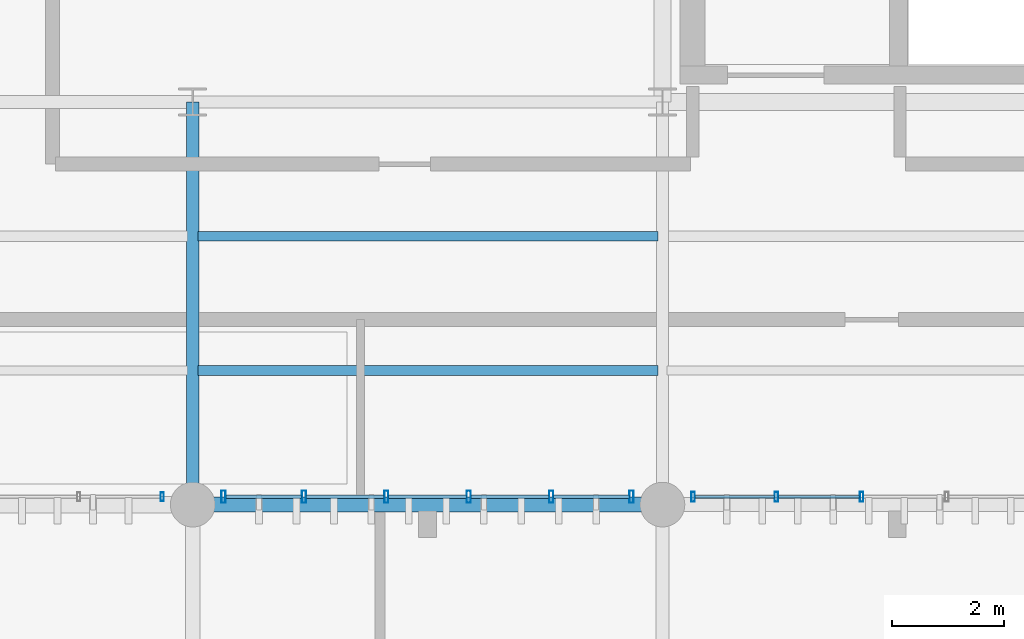
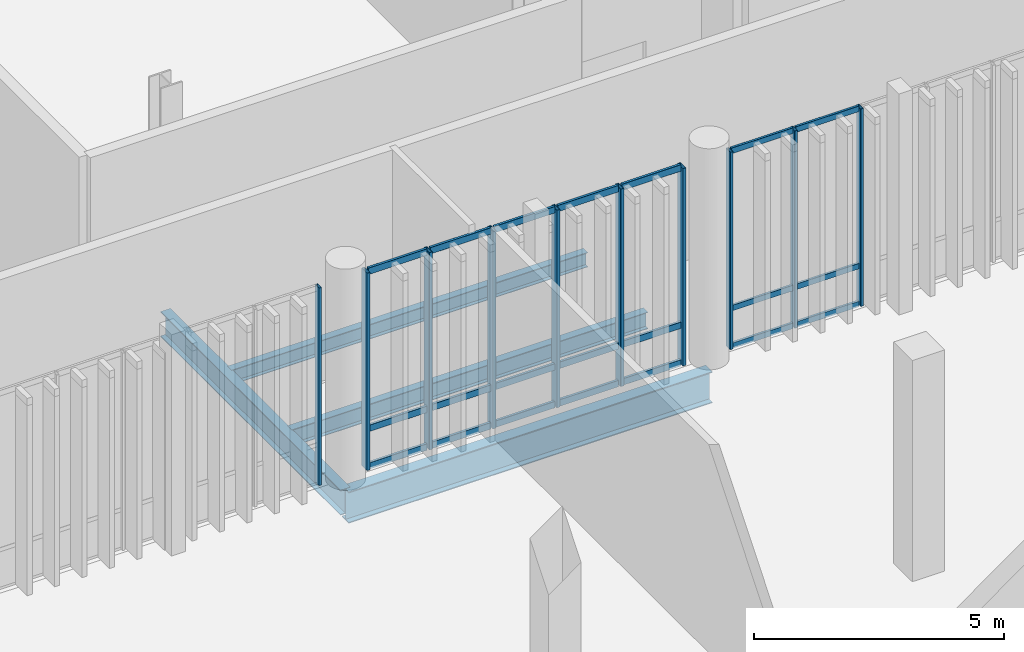
# One storey, part 44 of 112: 31 members, 4 beams, 3 elements without a shape of their own.
"""IFC4 building model written with IfcOpenShell, lengths in metres."""

from ifc_helpers import new_model, si_unit, direction, frame, origin_with_axes, origin_2d_with_axis, place, context, subcontext, project, spatial, hollow_rectangle, i_section, extrude, material, material_profile, profile_set, type_object, element, aggregate, save


model = new_model("IFC4")

# Units and contexts
model_context = context("Model", 3, precision=1e-05, world=origin_with_axes(), true_north=direction((0.0, 1.0)))
body_context = subcontext(model_context, "Body", "Model", "MODEL_VIEW")
ifc_project = project(units=[si_unit("LENGTHUNIT", "METRE"), si_unit("AREAUNIT", "SQUARE_METRE"), si_unit("VOLUMEUNIT", "CUBIC_METRE"), si_unit("PLANEANGLEUNIT", "RADIAN"), si_unit("MASSUNIT", "GRAM", prefix="KILO"), si_unit("THERMODYNAMICTEMPERATUREUNIT", "KELVIN")], contexts=[model_context])

# Site, building, storey
site_placement = place(None, origin_with_axes())
site = spatial("IfcSite", under=ifc_project, at=site_placement, CompositionType="ELEMENT")
building_placement = place(site_placement, origin_with_axes())
building = spatial("IfcBuilding", under=site, at=building_placement, Name="Montbau Bow Law Courts", CompositionType="ELEMENT")
storey_placement = place(building_placement, origin_with_axes())
storey = spatial("IfcBuildingStorey", under=building, at=storey_placement, Name="L00", CompositionType="ELEMENT", Elevation=0.0)

# Beams
ifc_material_1 = material(Name="Steel CSA G40.21 Grade 350W (350 MPa)", Category="steel")
ifc_material_profile_1 = material_profile(ifc_material_1, i_section(OverallWidth=0.267, OverallDepth=0.766, WebThickness=0.0149, FlangeThickness=0.0236, at=origin_2d_with_axis()), Name="W760X185", Category="Main", Priority=0)
ifc_profile_set_1 = profile_set([ifc_material_profile_1], Name="Steel CSA G40.21 Grade 350W (350 MPa)")
beam_type_1 = type_object("IfcBeamType", Name="B-FLR-03", PredefinedType="BEAM", material=ifc_profile_set_1)
beam_1_placement = place(None, frame((72.0, 39.0, -0.623), z_axis=(1.0, 0.0, 0.0), x_axis=(0.0, 1.0, 0.0)))
element("IfcBeam", 1, at=beam_1_placement, inside=storey, type_object=beam_type_1, Name="BM-L00-S0191:bm2_0194", PredefinedType="BEAM", context=body_context, shape_type="SweptSolid", body=[
    extrude(i_section(OverallWidth=0.267, OverallDepth=0.766, WebThickness=0.0149, FlangeThickness=0.0236, at=origin_2d_with_axis()), origin_with_axes(), (0.0, 0.0, 1.0), 8.4),
])
ifc_material_profile_2 = material_profile(ifc_material_1, i_section(OverallWidth=0.229, OverallDepth=0.612, WebThickness=0.0119, FlangeThickness=0.0196, at=origin_2d_with_axis()), Name="W610X125", Category="Main", Priority=0)
ifc_profile_set_2 = profile_set([ifc_material_profile_2], Name="Steel CSA G40.21 Grade 350W (350 MPa)")
beam_type_2 = type_object("IfcBeamType", Name="B-FLR-05", PredefinedType="BEAM", material=ifc_profile_set_2)
beam_2_placement = place(None, frame((72.0, 39.0, -0.546), z_axis=(0.0, 1.0, 0.0), x_axis=(-1.0, 0.0, 0.0)))
element("IfcBeam", 2, at=beam_2_placement, inside=storey, type_object=beam_type_2, Name="BM-L00-S0291:bm2_0294", PredefinedType="BEAM", context=body_context, shape_type="SweptSolid", body=[
    extrude(i_section(OverallWidth=0.229, OverallDepth=0.612, WebThickness=0.0119, FlangeThickness=0.0196, at=origin_2d_with_axis()), origin_with_axes(), (0.0, 0.0, 1.0), 7.2),
])
ifc_material_profile_3 = material_profile(ifc_material_1, i_section(OverallWidth=0.179, OverallDepth=0.41, WebThickness=0.0088, FlangeThickness=0.0144, at=origin_2d_with_axis()), Name="W410X67", Category="Main", Priority=0)
ifc_profile_set_3 = profile_set([ifc_material_profile_3], Name="Steel CSA G40.21 Grade 350W (350 MPa)")
beam_type_3 = type_object("IfcBeamType", Name="B-JST-02", PredefinedType="JOIST", material=ifc_profile_set_3)
beam_3_placement = place(None, frame((72.091, 41.4, -0.445), z_axis=(1.0, 0.0, 0.0), x_axis=(0.0, 1.0, 0.0)))
element("IfcBeam", 3, at=beam_3_placement, inside=storey, type_object=beam_type_3, Name="JST-L00-S0077:jst2_0077", PredefinedType="JOIST", context=body_context, shape_type="SweptSolid", body=[
    extrude(i_section(OverallWidth=0.179, OverallDepth=0.41, WebThickness=0.0088, FlangeThickness=0.0144, at=origin_2d_with_axis()), origin_with_axes(), (0.0, 0.0, 1.0), 8.228),
])
ifc_material_profile_4 = material_profile(ifc_material_1, i_section(OverallWidth=0.172, OverallDepth=0.358, WebThickness=0.0079, FlangeThickness=0.0131, at=origin_2d_with_axis()), Name="W360X57", Category="Main", Priority=0)
ifc_profile_set_4 = profile_set([ifc_material_profile_4], Name="Steel CSA G40.21 Grade 350W (350 MPa)")
beam_type_4 = type_object("IfcBeamType", Name="B-JST-03", PredefinedType="JOIST", material=ifc_profile_set_4)
beam_4_placement = place(None, frame((72.091, 43.8, -0.419), z_axis=(1.0, 0.0, 0.0), x_axis=(0.0, 1.0, 0.0)))
element("IfcBeam", 4, at=beam_4_placement, inside=storey, type_object=beam_type_4, Name="JST-L00-S0078:jst2_0078", PredefinedType="JOIST", context=body_context, shape_type="SweptSolid", body=[
    extrude(i_section(OverallWidth=0.172, OverallDepth=0.358, WebThickness=0.0079, FlangeThickness=0.0131, at=origin_2d_with_axis()), origin_with_axes(), (0.0, 0.0, 1.0), 8.228),
])

# Curtain wall, members
ifc_material_2 = material(Name="Thermally Broken Extruded Aluminium AA 6063-T6", Category="aluminium")
curtain_wall_type = type_object("IfcCurtainWallType", Name="CW-CRM-01", PredefinedType="NOTDEFINED", material=ifc_material_2)
curtain_wall_1_placement = place(None, frame((72.515, 39.14, 0.0), z_axis=(0.0, 0.0, 1.0), x_axis=(1.0, 0.0, 0.0)))
curtain_wall_1 = element("IfcCurtainWall", 5, at=curtain_wall_1_placement, inside=storey, type_object=curtain_wall_type, Name="CW-L00-126:cw_0126", PredefinedType="NOTDEFINED")
ifc_material_profile_5 = material_profile(ifc_material_2, hollow_rectangle(XDim=0.075, YDim=0.22, WallThickness=0.005, InnerFilletRadius=0.01, OuterFilletRadius=0.005, at=origin_2d_with_axis()), Name="CWM-220X75", Category="Main", Priority=0)
ifc_profile_set_5 = profile_set([ifc_material_profile_5], Name="Thermally Broken Extruded Aluminium AA 6063-T6")
member_type_1 = type_object("IfcMemberType", Name="M-MUL-01", PredefinedType="MULLION", material=ifc_profile_set_5)
member_1_placement = place(None, frame((72.552, 39.14, 0.0), z_axis=(0.0, 0.0, 1.0), x_axis=(1.0, 0.0, 0.0)))
member_1 = element("IfcMember", 6, at=member_1_placement, type_object=member_type_1, Name="CW-L00-126-M01:cw_0126_M01", PredefinedType="MULLION", context=body_context, shape_type="SweptSolid", body=[
    extrude(hollow_rectangle(XDim=0.075, YDim=0.22, WallThickness=0.005, InnerFilletRadius=0.01, OuterFilletRadius=0.005, at=origin_2d_with_axis()), origin_with_axes(), (0.0, 0.0, 1.0), 4.82),
])
member_2_placement = place(None, frame((73.989, 39.14, 0.0), z_axis=(0.0, 0.0, 1.0), x_axis=(1.0, 0.0, 0.0)))
member_2 = element("IfcMember", 7, at=member_2_placement, type_object=member_type_1, Name="CW-L00-126-M02:cw_0126_M02", PredefinedType="MULLION", context=body_context, shape_type="SweptSolid", body=[
    extrude(hollow_rectangle(XDim=0.075, YDim=0.22, WallThickness=0.005, InnerFilletRadius=0.01, OuterFilletRadius=0.005, at=origin_2d_with_axis()), origin_with_axes(), (0.0, 0.0, 1.0), 4.82),
])
member_3_placement = place(None, frame((75.463, 39.14, 0.0), z_axis=(0.0, 0.0, 1.0), x_axis=(1.0, 0.0, 0.0)))
member_3 = element("IfcMember", 8, at=member_3_placement, type_object=member_type_1, Name="CW-L00-126-M03:cw_0126_M03", PredefinedType="MULLION", context=body_context, shape_type="SweptSolid", body=[
    extrude(hollow_rectangle(XDim=0.075, YDim=0.22, WallThickness=0.005, InnerFilletRadius=0.01, OuterFilletRadius=0.005, at=origin_2d_with_axis()), origin_with_axes(), (0.0, 0.0, 1.0), 4.82),
])
member_4_placement = place(None, frame((76.937, 39.14, 0.0), z_axis=(0.0, 0.0, 1.0), x_axis=(1.0, 0.0, 0.0)))
member_4 = element("IfcMember", 9, at=member_4_placement, type_object=member_type_1, Name="CW-L00-126-M04:cw_0126_M04", PredefinedType="MULLION", context=body_context, shape_type="SweptSolid", body=[
    extrude(hollow_rectangle(XDim=0.075, YDim=0.22, WallThickness=0.005, InnerFilletRadius=0.01, OuterFilletRadius=0.005, at=origin_2d_with_axis()), origin_with_axes(), (0.0, 0.0, 1.0), 4.82),
])
member_5_placement = place(None, frame((78.411, 39.14, 0.0), z_axis=(0.0, 0.0, 1.0), x_axis=(1.0, 0.0, 0.0)))
member_5 = element("IfcMember", 10, at=member_5_placement, type_object=member_type_1, Name="CW-L00-126-M05:cw_0126_M05", PredefinedType="MULLION", context=body_context, shape_type="SweptSolid", body=[
    extrude(hollow_rectangle(XDim=0.075, YDim=0.22, WallThickness=0.005, InnerFilletRadius=0.01, OuterFilletRadius=0.005, at=origin_2d_with_axis()), origin_with_axes(), (0.0, 0.0, 1.0), 4.82),
])
member_6_placement = place(None, frame((79.848, 39.14, 0.0), z_axis=(0.0, 0.0, 1.0), x_axis=(1.0, 0.0, 0.0)))
member_6 = element("IfcMember", 11, at=member_6_placement, type_object=member_type_1, Name="CW-L00-126-M06:cw_0126_M06", PredefinedType="MULLION", context=body_context, shape_type="SweptSolid", body=[
    extrude(hollow_rectangle(XDim=0.075, YDim=0.22, WallThickness=0.005, InnerFilletRadius=0.01, OuterFilletRadius=0.005, at=origin_2d_with_axis()), origin_with_axes(), (0.0, 0.0, 1.0), 4.82),
])

curtain_wall_2_placement = place(None, frame((80.915, 39.14, 0.0), z_axis=(0.0, 0.0, 1.0), x_axis=(1.0, 0.0, 0.0)))
curtain_wall_2 = element("IfcCurtainWall", 12, at=curtain_wall_2_placement, inside=storey, type_object=curtain_wall_type, Name="CW-L00-127:cw_0127", PredefinedType="NOTDEFINED")
ifc_material_profile_6 = material_profile(ifc_material_2, hollow_rectangle(XDim=0.065, YDim=0.18, WallThickness=0.005, InnerFilletRadius=0.01, OuterFilletRadius=0.005, at=origin_2d_with_axis()), Name="CWM-180X65", Category="Main", Priority=0)
ifc_profile_set_6 = profile_set([ifc_material_profile_6], Name="Thermally Broken Extruded Aluminium AA 6063-T6")
member_type_2 = type_object("IfcMemberType", Name="M-MUL-02", PredefinedType="MULLION", material=ifc_profile_set_6)
member_7_placement = place(None, frame((80.948, 39.14, 0.0), z_axis=(0.0, 0.0, 1.0), x_axis=(1.0, 0.0, 0.0)))
member_7 = element("IfcMember", 13, at=member_7_placement, type_object=member_type_2, Name="CW-L00-127-M01:cw_0127_M01", PredefinedType="MULLION", context=body_context, shape_type="SweptSolid", body=[
    extrude(hollow_rectangle(XDim=0.065, YDim=0.18, WallThickness=0.005, InnerFilletRadius=0.01, OuterFilletRadius=0.005, at=origin_2d_with_axis()), origin_with_axes(), (0.0, 0.0, 1.0), 4.82),
])
member_8_placement = place(None, frame((82.438, 39.14, 0.0), z_axis=(0.0, 0.0, 1.0), x_axis=(1.0, 0.0, 0.0)))
member_8 = element("IfcMember", 14, at=member_8_placement, type_object=member_type_2, Name="CW-L00-127-M02:cw_0127_M02", PredefinedType="MULLION", context=body_context, shape_type="SweptSolid", body=[
    extrude(hollow_rectangle(XDim=0.065, YDim=0.18, WallThickness=0.005, InnerFilletRadius=0.01, OuterFilletRadius=0.005, at=origin_2d_with_axis()), origin_with_axes(), (0.0, 0.0, 1.0), 4.82),
])
member_9_placement = place(None, frame((83.962, 39.14, 0.0), z_axis=(0.0, 0.0, 1.0), x_axis=(1.0, 0.0, 0.0)))
member_9 = element("IfcMember", 15, at=member_9_placement, type_object=member_type_2, Name="CW-L00-127-M03:cw_0127_M03", PredefinedType="MULLION", context=body_context, shape_type="SweptSolid", body=[
    extrude(hollow_rectangle(XDim=0.065, YDim=0.18, WallThickness=0.005, InnerFilletRadius=0.01, OuterFilletRadius=0.005, at=origin_2d_with_axis()), origin_with_axes(), (0.0, 0.0, 1.0), 4.82),
])

# Curtain wall, member
curtain_wall_3_placement = place(None, frame((63.868, 39.14, 0.0), z_axis=(0.0, 0.0, 1.0), x_axis=(1.0, 0.0, 0.0)))
curtain_wall_3 = element("IfcCurtainWall", 16, at=curtain_wall_3_placement, inside=storey, type_object=curtain_wall_type, Name="CW-L00-125:cw_0125", PredefinedType="NOTDEFINED")
ifc_material_profile_7 = material_profile(ifc_material_2, hollow_rectangle(XDim=0.06, YDim=0.16, WallThickness=0.004, InnerFilletRadius=0.008, OuterFilletRadius=0.004, at=origin_2d_with_axis()), Name="CWM-160X60", Category="Main", Priority=0)
ifc_profile_set_7 = profile_set([ifc_material_profile_7], Name="Thermally Broken Extruded Aluminium AA 6063-T6")
member_type_3 = type_object("IfcMemberType", Name="M-MUL-03", PredefinedType="MULLION", material=ifc_profile_set_7)
member_10_placement = place(None, frame((71.455, 39.14, 0.0), z_axis=(0.0, 0.0, 1.0), x_axis=(1.0, 0.0, 0.0)))
member_10 = element("IfcMember", 17, at=member_10_placement, type_object=member_type_3, Name="CW-L00-125-M06:cw_0125_M06", PredefinedType="MULLION", context=body_context, shape_type="SweptSolid", body=[
    extrude(hollow_rectangle(XDim=0.06, YDim=0.16, WallThickness=0.004, InnerFilletRadius=0.008, OuterFilletRadius=0.004, at=origin_2d_with_axis()), origin_with_axes(), (0.0, 0.0, 1.0), 4.82),
])
aggregate(curtain_wall_3, [member_10])

# Member
ifc_material_profile_8 = material_profile(ifc_material_2, hollow_rectangle(XDim=0.06, YDim=0.16, WallThickness=0.004, InnerFilletRadius=0.008, OuterFilletRadius=0.004, at=origin_2d_with_axis()), Name="CWT-160X60", Category="Main", Priority=0)
ifc_profile_set_8 = profile_set([ifc_material_profile_8], Name="Thermally Broken Extruded Aluminium AA 6063-T6")
member_type_4 = type_object("IfcMemberType", Name="M-TRN-01", PredefinedType="USERDEFINED", material=ifc_profile_set_8)
member_11_placement = place(None, frame((72.591, 39.14, 0.03), z_axis=(1.0, 0.0, 0.0), x_axis=(0.0, 1.0, 0.0)))
member_11 = element("IfcMember", 18, at=member_11_placement, type_object=member_type_4, Name="CW-L00-126-T01-1:cw_0126_T01_1", ObjectType="TRANSOM", PredefinedType="USERDEFINED", context=body_context, shape_type="SweptSolid", body=[
    extrude(hollow_rectangle(XDim=0.06, YDim=0.16, WallThickness=0.004, InnerFilletRadius=0.008, OuterFilletRadius=0.004, at=origin_2d_with_axis()), origin_with_axes(), (0.0, 0.0, 1.0), 1.358),
])

member_12_placement = place(None, frame((72.591, 39.14, 0.95), z_axis=(1.0, 0.0, 0.0), x_axis=(0.0, 1.0, 0.0)))
member_12 = element("IfcMember", 19, at=member_12_placement, type_object=member_type_4, Name="CW-L00-126-T01-2:cw_0126_T01_2", ObjectType="TRANSOM", PredefinedType="USERDEFINED", context=body_context, shape_type="SweptSolid", body=[
    extrude(hollow_rectangle(XDim=0.06, YDim=0.16, WallThickness=0.004, InnerFilletRadius=0.008, OuterFilletRadius=0.004, at=origin_2d_with_axis()), origin_with_axes(), (0.0, 0.0, 1.0), 1.358),
])

member_13_placement = place(None, frame((72.591, 39.14, 4.79), z_axis=(1.0, 0.0, 0.0), x_axis=(0.0, 1.0, 0.0)))
member_13 = element("IfcMember", 20, at=member_13_placement, type_object=member_type_4, Name="CW-L00-126-T01-3:cw_0126_T01_3", ObjectType="TRANSOM", PredefinedType="USERDEFINED", context=body_context, shape_type="SweptSolid", body=[
    extrude(hollow_rectangle(XDim=0.06, YDim=0.16, WallThickness=0.004, InnerFilletRadius=0.008, OuterFilletRadius=0.004, at=origin_2d_with_axis()), origin_with_axes(), (0.0, 0.0, 1.0), 1.358),
])

member_14_placement = place(None, frame((74.029, 39.14, 0.03), z_axis=(1.0, 0.0, 0.0), x_axis=(0.0, 1.0, 0.0)))
member_14 = element("IfcMember", 21, at=member_14_placement, type_object=member_type_4, Name="CW-L00-126-T02-1:cw_0126_T02_1", ObjectType="TRANSOM", PredefinedType="USERDEFINED", context=body_context, shape_type="SweptSolid", body=[
    extrude(hollow_rectangle(XDim=0.06, YDim=0.16, WallThickness=0.004, InnerFilletRadius=0.008, OuterFilletRadius=0.004, at=origin_2d_with_axis()), origin_with_axes(), (0.0, 0.0, 1.0), 1.395),
])

member_15_placement = place(None, frame((74.029, 39.14, 0.95), z_axis=(1.0, 0.0, 0.0), x_axis=(0.0, 1.0, 0.0)))
member_15 = element("IfcMember", 22, at=member_15_placement, type_object=member_type_4, Name="CW-L00-126-T02-2:cw_0126_T02_2", ObjectType="TRANSOM", PredefinedType="USERDEFINED", context=body_context, shape_type="SweptSolid", body=[
    extrude(hollow_rectangle(XDim=0.06, YDim=0.16, WallThickness=0.004, InnerFilletRadius=0.008, OuterFilletRadius=0.004, at=origin_2d_with_axis()), origin_with_axes(), (0.0, 0.0, 1.0), 1.395),
])

member_16_placement = place(None, frame((74.029, 39.14, 4.79), z_axis=(1.0, 0.0, 0.0), x_axis=(0.0, 1.0, 0.0)))
member_16 = element("IfcMember", 23, at=member_16_placement, type_object=member_type_4, Name="CW-L00-126-T02-3:cw_0126_T02_3", ObjectType="TRANSOM", PredefinedType="USERDEFINED", context=body_context, shape_type="SweptSolid", body=[
    extrude(hollow_rectangle(XDim=0.06, YDim=0.16, WallThickness=0.004, InnerFilletRadius=0.008, OuterFilletRadius=0.004, at=origin_2d_with_axis()), origin_with_axes(), (0.0, 0.0, 1.0), 1.395),
])

member_17_placement = place(None, frame((75.502, 39.14, 0.03), z_axis=(1.0, 0.0, 0.0), x_axis=(0.0, 1.0, 0.0)))
member_17 = element("IfcMember", 24, at=member_17_placement, type_object=member_type_4, Name="CW-L00-126-T03-1:cw_0126_T03_1", ObjectType="TRANSOM", PredefinedType="USERDEFINED", context=body_context, shape_type="SweptSolid", body=[
    extrude(hollow_rectangle(XDim=0.06, YDim=0.16, WallThickness=0.004, InnerFilletRadius=0.008, OuterFilletRadius=0.004, at=origin_2d_with_axis()), origin_with_axes(), (0.0, 0.0, 1.0), 1.396),
])

member_18_placement = place(None, frame((75.502, 39.14, 0.95), z_axis=(1.0, 0.0, 0.0), x_axis=(0.0, 1.0, 0.0)))
member_18 = element("IfcMember", 25, at=member_18_placement, type_object=member_type_4, Name="CW-L00-126-T03-2:cw_0126_T03_2", ObjectType="TRANSOM", PredefinedType="USERDEFINED", context=body_context, shape_type="SweptSolid", body=[
    extrude(hollow_rectangle(XDim=0.06, YDim=0.16, WallThickness=0.004, InnerFilletRadius=0.008, OuterFilletRadius=0.004, at=origin_2d_with_axis()), origin_with_axes(), (0.0, 0.0, 1.0), 1.396),
])

member_19_placement = place(None, frame((75.502, 39.14, 4.79), z_axis=(1.0, 0.0, 0.0), x_axis=(0.0, 1.0, 0.0)))
member_19 = element("IfcMember", 26, at=member_19_placement, type_object=member_type_4, Name="CW-L00-126-T03-3:cw_0126_T03_3", ObjectType="TRANSOM", PredefinedType="USERDEFINED", context=body_context, shape_type="SweptSolid", body=[
    extrude(hollow_rectangle(XDim=0.06, YDim=0.16, WallThickness=0.004, InnerFilletRadius=0.008, OuterFilletRadius=0.004, at=origin_2d_with_axis()), origin_with_axes(), (0.0, 0.0, 1.0), 1.396),
])

member_20_placement = place(None, frame((76.976, 39.14, 0.03), z_axis=(1.0, 0.0, 0.0), x_axis=(0.0, 1.0, 0.0)))
member_20 = element("IfcMember", 27, at=member_20_placement, type_object=member_type_4, Name="CW-L00-126-T04-1:cw_0126_T04_1", ObjectType="TRANSOM", PredefinedType="USERDEFINED", context=body_context, shape_type="SweptSolid", body=[
    extrude(hollow_rectangle(XDim=0.06, YDim=0.16, WallThickness=0.004, InnerFilletRadius=0.008, OuterFilletRadius=0.004, at=origin_2d_with_axis()), origin_with_axes(), (0.0, 0.0, 1.0), 1.396),
])

member_21_placement = place(None, frame((76.976, 39.14, 0.95), z_axis=(1.0, 0.0, 0.0), x_axis=(0.0, 1.0, 0.0)))
member_21 = element("IfcMember", 28, at=member_21_placement, type_object=member_type_4, Name="CW-L00-126-T04-2:cw_0126_T04_2", ObjectType="TRANSOM", PredefinedType="USERDEFINED", context=body_context, shape_type="SweptSolid", body=[
    extrude(hollow_rectangle(XDim=0.06, YDim=0.16, WallThickness=0.004, InnerFilletRadius=0.008, OuterFilletRadius=0.004, at=origin_2d_with_axis()), origin_with_axes(), (0.0, 0.0, 1.0), 1.396),
])

member_22_placement = place(None, frame((76.976, 39.14, 4.79), z_axis=(1.0, 0.0, 0.0), x_axis=(0.0, 1.0, 0.0)))
member_22 = element("IfcMember", 29, at=member_22_placement, type_object=member_type_4, Name="CW-L00-126-T04-3:cw_0126_T04_3", ObjectType="TRANSOM", PredefinedType="USERDEFINED", context=body_context, shape_type="SweptSolid", body=[
    extrude(hollow_rectangle(XDim=0.06, YDim=0.16, WallThickness=0.004, InnerFilletRadius=0.008, OuterFilletRadius=0.004, at=origin_2d_with_axis()), origin_with_axes(), (0.0, 0.0, 1.0), 1.396),
])

member_23_placement = place(None, frame((78.45, 39.14, 0.03), z_axis=(1.0, 0.0, 0.0), x_axis=(0.0, 1.0, 0.0)))
member_23 = element("IfcMember", 30, at=member_23_placement, type_object=member_type_4, Name="CW-L00-126-T05-1:cw_0126_T05_1", ObjectType="TRANSOM", PredefinedType="USERDEFINED", context=body_context, shape_type="SweptSolid", body=[
    extrude(hollow_rectangle(XDim=0.06, YDim=0.16, WallThickness=0.004, InnerFilletRadius=0.008, OuterFilletRadius=0.004, at=origin_2d_with_axis()), origin_with_axes(), (0.0, 0.0, 1.0), 1.359),
])

member_24_placement = place(None, frame((78.45, 39.14, 0.95), z_axis=(1.0, 0.0, 0.0), x_axis=(0.0, 1.0, 0.0)))
member_24 = element("IfcMember", 31, at=member_24_placement, type_object=member_type_4, Name="CW-L00-126-T05-2:cw_0126_T05_2", ObjectType="TRANSOM", PredefinedType="USERDEFINED", context=body_context, shape_type="SweptSolid", body=[
    extrude(hollow_rectangle(XDim=0.06, YDim=0.16, WallThickness=0.004, InnerFilletRadius=0.008, OuterFilletRadius=0.004, at=origin_2d_with_axis()), origin_with_axes(), (0.0, 0.0, 1.0), 1.359),
])

member_25_placement = place(None, frame((78.45, 39.14, 4.79), z_axis=(1.0, 0.0, 0.0), x_axis=(0.0, 1.0, 0.0)))
member_25 = element("IfcMember", 32, at=member_25_placement, type_object=member_type_4, Name="CW-L00-126-T05-3:cw_0126_T05_3", ObjectType="TRANSOM", PredefinedType="USERDEFINED", context=body_context, shape_type="SweptSolid", body=[
    extrude(hollow_rectangle(XDim=0.06, YDim=0.16, WallThickness=0.004, InnerFilletRadius=0.008, OuterFilletRadius=0.004, at=origin_2d_with_axis()), origin_with_axes(), (0.0, 0.0, 1.0), 1.359),
])

aggregate(curtain_wall_1, [member_1, member_2, member_3, member_4, member_5, member_6, member_11, member_12, member_13, member_14, member_15, member_16, member_17, member_18, member_19, member_20, member_21, member_22, member_23, member_24, member_25])

ifc_material_profile_9 = material_profile(ifc_material_2, hollow_rectangle(XDim=0.055, YDim=0.14, WallThickness=0.004, InnerFilletRadius=0.008, OuterFilletRadius=0.004, at=origin_2d_with_axis()), Name="CWT-140X55", Category="Main", Priority=0)
ifc_profile_set_9 = profile_set([ifc_material_profile_9], Name="Thermally Broken Extruded Aluminium AA 6063-T6")
member_type_5 = type_object("IfcMemberType", Name="M-TRN-02", PredefinedType="USERDEFINED", material=ifc_profile_set_9)
member_26_placement = place(None, frame((80.983, 39.14, 0.028), z_axis=(1.0, 0.0, 0.0), x_axis=(0.0, 1.0, 0.0)))
member_26 = element("IfcMember", 33, at=member_26_placement, type_object=member_type_5, Name="CW-L00-127-T01-1:cw_0127_T01_1", ObjectType="TRANSOM", PredefinedType="USERDEFINED", context=body_context, shape_type="SweptSolid", body=[
    extrude(hollow_rectangle(XDim=0.055, YDim=0.14, WallThickness=0.004, InnerFilletRadius=0.008, OuterFilletRadius=0.004, at=origin_2d_with_axis()), origin_with_axes(), (0.0, 0.0, 1.0), 1.42),
])

member_27_placement = place(None, frame((80.983, 39.14, 0.95), z_axis=(1.0, 0.0, 0.0), x_axis=(0.0, 1.0, 0.0)))
member_27 = element("IfcMember", 34, at=member_27_placement, type_object=member_type_5, Name="CW-L00-127-T01-2:cw_0127_T01_2", ObjectType="TRANSOM", PredefinedType="USERDEFINED", context=body_context, shape_type="SweptSolid", body=[
    extrude(hollow_rectangle(XDim=0.055, YDim=0.14, WallThickness=0.004, InnerFilletRadius=0.008, OuterFilletRadius=0.004, at=origin_2d_with_axis()), origin_with_axes(), (0.0, 0.0, 1.0), 1.42),
])

member_28_placement = place(None, frame((80.983, 39.14, 4.793), z_axis=(1.0, 0.0, 0.0), x_axis=(0.0, 1.0, 0.0)))
member_28 = element("IfcMember", 35, at=member_28_placement, type_object=member_type_5, Name="CW-L00-127-T01-3:cw_0127_T01_3", ObjectType="TRANSOM", PredefinedType="USERDEFINED", context=body_context, shape_type="SweptSolid", body=[
    extrude(hollow_rectangle(XDim=0.055, YDim=0.14, WallThickness=0.004, InnerFilletRadius=0.008, OuterFilletRadius=0.004, at=origin_2d_with_axis()), origin_with_axes(), (0.0, 0.0, 1.0), 1.42),
])

member_29_placement = place(None, frame((82.472, 39.14, 0.028), z_axis=(1.0, 0.0, 0.0), x_axis=(0.0, 1.0, 0.0)))
member_29 = element("IfcMember", 36, at=member_29_placement, type_object=member_type_5, Name="CW-L00-127-T02-1:cw_0127_T02_1", ObjectType="TRANSOM", PredefinedType="USERDEFINED", context=body_context, shape_type="SweptSolid", body=[
    extrude(hollow_rectangle(XDim=0.055, YDim=0.14, WallThickness=0.004, InnerFilletRadius=0.008, OuterFilletRadius=0.004, at=origin_2d_with_axis()), origin_with_axes(), (0.0, 0.0, 1.0), 1.456),
])

member_30_placement = place(None, frame((82.472, 39.14, 0.95), z_axis=(1.0, 0.0, 0.0), x_axis=(0.0, 1.0, 0.0)))
member_30 = element("IfcMember", 37, at=member_30_placement, type_object=member_type_5, Name="CW-L00-127-T02-2:cw_0127_T02_2", ObjectType="TRANSOM", PredefinedType="USERDEFINED", context=body_context, shape_type="SweptSolid", body=[
    extrude(hollow_rectangle(XDim=0.055, YDim=0.14, WallThickness=0.004, InnerFilletRadius=0.008, OuterFilletRadius=0.004, at=origin_2d_with_axis()), origin_with_axes(), (0.0, 0.0, 1.0), 1.456),
])

member_31_placement = place(None, frame((82.472, 39.14, 4.793), z_axis=(1.0, 0.0, 0.0), x_axis=(0.0, 1.0, 0.0)))
member_31 = element("IfcMember", 38, at=member_31_placement, type_object=member_type_5, Name="CW-L00-127-T02-3:cw_0127_T02_3", ObjectType="TRANSOM", PredefinedType="USERDEFINED", context=body_context, shape_type="SweptSolid", body=[
    extrude(hollow_rectangle(XDim=0.055, YDim=0.14, WallThickness=0.004, InnerFilletRadius=0.008, OuterFilletRadius=0.004, at=origin_2d_with_axis()), origin_with_axes(), (0.0, 0.0, 1.0), 1.456),
])

aggregate(curtain_wall_2, [member_7, member_8, member_9, member_26, member_27, member_28, member_29, member_30, member_31])

save(model, "model.ifc")
